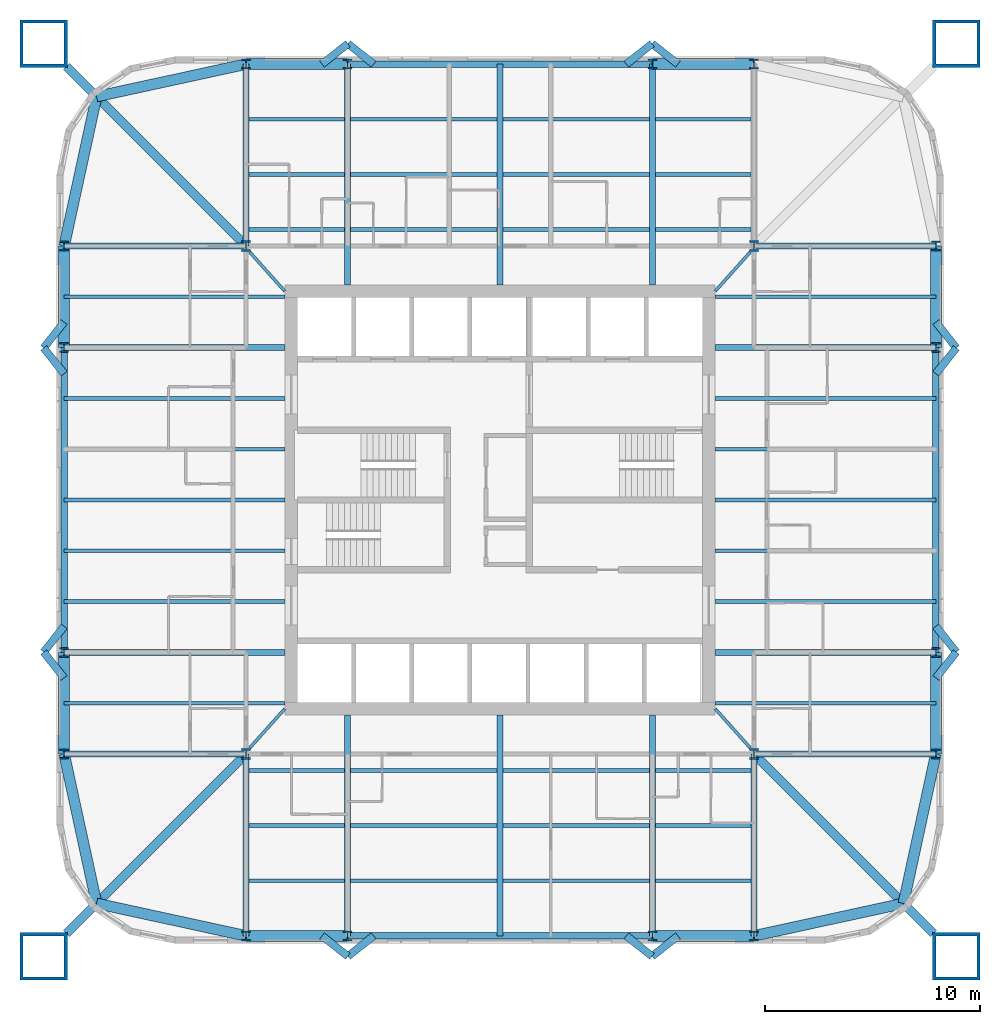
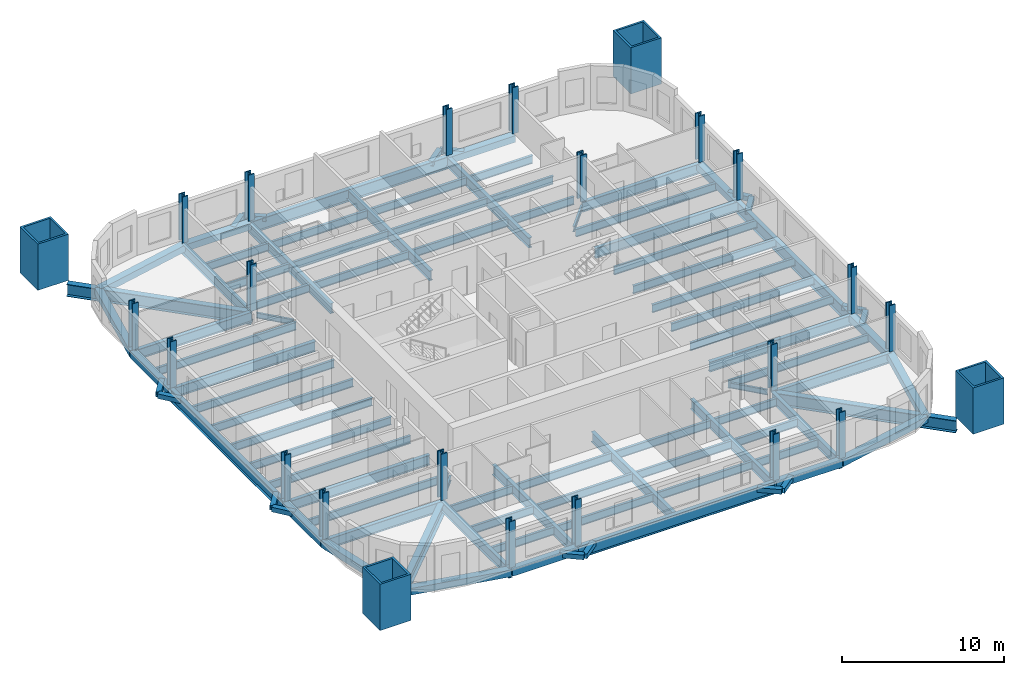
# One storey, part 1 of 9: 96 beams, 24 columns.
"""IFC4 building model written with IfcOpenShell, lengths in metres."""

from ifc_helpers import new_model, si_unit, direction, frame, origin, origin_2d, place, context, subcontext, project, spatial, hollow_rectangle, i_section, extrude, material, material_profile, profile_set, type_object, element, save


model = new_model("IFC4")

# Units and contexts
model_context = context("Model", 3, precision=1e-05, world=origin(), true_north=direction((0.0, 1.0)))
body_context = subcontext(model_context, "Body", "Model", "MODEL_VIEW")
ifc_project = project(units=[si_unit("LENGTHUNIT", "METRE"), si_unit("AREAUNIT", "SQUARE_METRE"), si_unit("VOLUMEUNIT", "CUBIC_METRE"), si_unit("PLANEANGLEUNIT", "RADIAN"), si_unit("MASSUNIT", "GRAM", prefix="KILO")], contexts=[model_context])

# Site, building, storey
site_placement = place(None, origin())
site = spatial("IfcSite", under=ifc_project, at=site_placement, CompositionType="ELEMENT")
building_placement = place(site_placement, origin())
building = spatial("IfcBuilding", under=site, at=building_placement, Name="Turquesa Mirador Hotel Tower", CompositionType="ELEMENT")
storey_placement = place(building_placement, frame((0.0, 0.0, 114.39990234375)))
storey = spatial("IfcBuildingStorey", under=building, at=storey_placement, Name="L30", CompositionType="ELEMENT", Elevation=114.39990234375)

# Columns
ifc_material_1 = material(Name="Steel ASTM A992 Grade 50", Category="steel")
ifc_material_profile_1 = material_profile(ifc_material_1, i_section(OverallWidth=0.421630859375, OverallDepth=0.46484375, WebThickness=0.044921875, FlangeThickness=0.072509765625, at=origin_2d()), Name="W14X398")
ifc_profile_set_1 = profile_set([ifc_material_profile_1], Name="Steel ASTM A992 Grade 50")
column_type_1 = type_object("IfcColumnType", Name="COLUMN W14X398", PredefinedType="COLUMN", material=ifc_profile_set_1)
for number, where, z_axis, x_axis, name in (
    (1, (34.75, 33.199951171875, 0.0), (0.0, 0.0, 1.0), (1.0, 0.0, 0.0), "COL-L30-P--20.25--11.80"),
    (2, (34.75, 37.919921875, 0.0), (0.0, 0.0, 1.0), (1.0, 0.0, 0.0), "COL-L30-P--20.25--7.08"),
    (3, (34.75, 52.080078125, 0.0), (0.0, 0.0, 1.0), (1.0, 0.0, 0.0), "COL-L30-P--20.25-+7.08"),
    (4, (34.75, 56.800048828125, 0.0), (0.0, 0.0, 1.0), (1.0, 0.0, 0.0), "COL-L30-P--20.25-+11.80"),
    (5, (43.199951171875, 24.75, 0.0), (0.0, 0.0, 1.0), (1.0, 0.0, 0.0), "COL-L30-P--11.80--20.25"),
    (6, (43.199951171875, 65.25, 0.0), (0.0, 0.0, 1.0), (1.0, 0.0, 0.0), "COL-L30-P--11.80-+20.25"),
    (7, (47.919921875, 24.75, 0.0), (0.0, 0.0, 1.0), (1.0, 0.0, 0.0), "COL-L30-P--7.08--20.25"),
    (8, (47.919921875, 65.25, 0.0), (0.0, 0.0, 1.0), (1.0, 0.0, 0.0), "COL-L30-P--7.08-+20.25"),
    (9, (62.080078125, 24.75, 0.0), (0.0, 0.0, 1.0), (1.0, 0.0, 0.0), "COL-L30-P-+7.08--20.25"),
    (10, (62.080078125, 65.25, 0.0), (0.0, 0.0, 1.0), (1.0, 0.0, 0.0), "COL-L30-P-+7.08-+20.25"),
    (11, (66.800048828125, 24.75, 0.0), (0.0, 0.0, 1.0), (1.0, 0.0, 0.0), "COL-L30-P-+11.80--20.25"),
    (12, (66.800048828125, 65.25, 0.0), (0.0, 0.0, 1.0), (1.0, 0.0, 0.0), "COL-L30-P-+11.80-+20.25"),
    (13, (75.25, 33.199951171875, 0.0), (0.0, 0.0, 1.0), (1.0, 0.0, 0.0), "COL-L30-P-+20.25--11.80"),
    (14, (75.25, 37.919921875, 0.0), (0.0, 0.0, 1.0), (1.0, 0.0, 0.0), "COL-L30-P-+20.25--7.08"),
    (15, (75.25, 52.080078125, 0.0), (0.0, 0.0, 1.0), (1.0, 0.0, 0.0), "COL-L30-P-+20.25-+7.08"),
    (16, (75.25, 56.800048828125, 0.0), (0.0, 0.0, 1.0), (1.0, 0.0, 0.0), "COL-L30-P-+20.25-+11.80"),
):
    element("IfcColumn", number, at=place(storey_placement, frame(where, z_axis=z_axis, x_axis=x_axis)), inside=storey, type_object=column_type_1, Name=name, PredefinedType="COLUMN", context=body_context, shape_type="SweptSolid", body=[
        extrude(i_section(OverallWidth=0.421630859375, OverallDepth=0.46484375, WebThickness=0.044921875, FlangeThickness=0.072509765625, at=origin_2d()), origin(), (0.0, 0.0, 1.0), 3.5),
    ])
ifc_material_2 = material(Name="Steel ASTM A992 Grade 50", Category="steel")
ifc_material_profile_2 = material_profile(ifc_material_2, i_section(OverallWidth=0.431884765625, OverallDepth=0.497802734375, WebThickness=0.0556640625, FlangeThickness=0.0888671875, at=origin_2d()), Name="W14X500")
ifc_profile_set_2 = profile_set([ifc_material_profile_2], Name="Steel ASTM A992 Grade 50")
column_type_2 = type_object("IfcColumnType", Name="COLUMN W14X500", PredefinedType="COLUMN", material=ifc_profile_set_2)
for number, where, z_axis, x_axis, name in (
    (17, (43.199951171875, 33.199951171875, 0.0), (0.0, 0.0, 1.0), (1.0, 0.0, 0.0), "COL-L30-K--11.80--11.80"),
    (18, (43.199951171875, 56.800048828125, 0.0), (0.0, 0.0, 1.0), (1.0, 0.0, 0.0), "COL-L30-K--11.80-+11.80"),
    (19, (66.800048828125, 33.199951171875, 0.0), (0.0, 0.0, 1.0), (1.0, 0.0, 0.0), "COL-L30-K-+11.80--11.80"),
    (20, (66.800048828125, 56.800048828125, 0.0), (0.0, 0.0, 1.0), (1.0, 0.0, 0.0), "COL-L30-K-+11.80-+11.80"),
):
    element("IfcColumn", number, at=place(storey_placement, frame(where, z_axis=z_axis, x_axis=x_axis)), inside=storey, type_object=column_type_2, Name=name, PredefinedType="COLUMN", context=body_context, shape_type="SweptSolid", body=[
        extrude(i_section(OverallWidth=0.431884765625, OverallDepth=0.497802734375, WebThickness=0.0556640625, FlangeThickness=0.0888671875, at=origin_2d()), origin(), (0.0, 0.0, 1.0), 3.5),
    ])
ifc_material_3 = material(Name="Steel ASTM A514 Grade Q", Category="steel")
ifc_material_profile_3 = material_profile(ifc_material_3, hollow_rectangle(XDim=2.199951171875, YDim=2.199951171875, WallThickness=0.14990234375, at=origin_2d()), Name="BOX2200X2200X150")
ifc_profile_set_3 = profile_set([ifc_material_profile_3], Name="Steel ASTM A514 Grade Q")
column_type_3 = type_object("IfcColumnType", Name="MEGA COLUMN BOX2200X2200X150", PredefinedType="COLUMN", material=ifc_profile_set_3)
for number, where, z_axis, x_axis, name in (
    (21, (76.199951171875, 66.199951171875, 0.0), (0.0, 0.0, 1.0), (1.0, 0.0, 0.0), "Mega column M1"),
    (22, (33.800048828125, 66.199951171875, 0.0), (0.0, 0.0, 1.0), (1.0, 0.0, 0.0), "Mega column M2"),
    (23, (33.800048828125, 23.800048828125, 0.0), (0.0, 0.0, 1.0), (1.0, 0.0, 0.0), "Mega column M3"),
    (24, (76.199951171875, 23.800048828125, 0.0), (0.0, 0.0, 1.0), (1.0, 0.0, 0.0), "Mega column M4"),
):
    element("IfcColumn", number, at=place(storey_placement, frame(where, z_axis=z_axis, x_axis=x_axis)), inside=storey, type_object=column_type_3, Name=name, PredefinedType="COLUMN", context=body_context, shape_type="SweptSolid", body=[
        extrude(hollow_rectangle(XDim=2.199951171875, YDim=2.199951171875, WallThickness=0.14990234375, at=origin_2d()), origin(), (0.0, 0.0, 1.0), 3.5),
    ])

# Beams
ifc_material_4 = material(Name="Steel ASTM A572 Grade 50", Category="steel")
ifc_material_profile_4 = material_profile(ifc_material_4, hollow_rectangle(XDim=0.5, YDim=0.5, WallThickness=0.01611328125, at=origin_2d()), Name="BOX500X500X16")
ifc_profile_set_4 = profile_set([ifc_material_profile_4], Name="Steel ASTM A572 Grade 50")
beam_type_1 = type_object("IfcBeamType", Name="BEAM BOX500X500X16", PredefinedType="BEAM", material=ifc_profile_set_4)
for number, where, z_axis, x_axis, name in (
    (25, (43.199951171875, 65.25, -0.419921875), (1.0, 0.0, 0.0), (0.0, 1.0, 0.0), "EB-L30-N-L"),
    (26, (62.080078125, 65.25, -0.419921875), (1.0, 0.0, 0.0), (0.0, 1.0, 0.0), "EB-L30-N-R"),
    (27, (43.199951171875, 24.75, -0.419921875), (1.0, 0.0, 0.0), (0.0, 1.0, 0.0), "EB-L30-S-L"),
    (28, (62.080078125, 24.75, -0.419921875), (1.0, 0.0, 0.0), (0.0, 1.0, 0.0), "EB-L30-S-R"),
    (29, (75.25, 33.199951171875, -0.419921875), (0.0, 1.0, 0.0), (-1.0, 0.0, 0.0), "EB-L30-E-L"),
    (30, (75.25, 52.080078125, -0.419921875), (0.0, 1.0, 0.0), (-1.0, 0.0, 0.0), "EB-L30-E-R"),
    (31, (34.75, 33.199951171875, -0.419921875), (0.0, 1.0, 0.0), (-1.0, 0.0, 0.0), "EB-L30-W-L"),
    (32, (34.75, 52.080078125, -0.419921875), (0.0, 1.0, 0.0), (-1.0, 0.0, 0.0), "EB-L30-W-R"),
):
    element("IfcBeam", number, at=place(storey_placement, frame(where, z_axis=z_axis, x_axis=x_axis)), inside=storey, type_object=beam_type_1, Name=name, PredefinedType="BEAM", context=body_context, shape_type="SweptSolid", body=[
        extrude(hollow_rectangle(XDim=0.5, YDim=0.5, WallThickness=0.01611328125, at=origin_2d()), origin(), (0.0, 0.0, 1.0), 4.719970703125),
    ])
for number, where, z_axis, x_axis, name in (
    (33, (34.75, 56.800048828125, -0.419921875), (0.212328336885, 0.977198381781, 0.0), (-0.977198381781, 0.212328336885, 0.0), "KE-L30-2-0"),
    (34, (36.25830078125, 63.74169921875, -0.419921875), (0.977198381781, 0.212328336885, 0.0), (-0.212328336885, 0.977198381781, 0.0), "KE-L30-2-1"),
    (35, (34.75, 33.199951171875, -0.419921875), (0.212328336885, -0.977198381781, 0.0), (0.977198381781, 0.212328336885, 0.0), "KE-L30-3-0"),
    (36, (36.25830078125, 26.25830078125, -0.419921875), (0.977198381781, -0.212328336885, 0.0), (0.212328336885, 0.977198381781, 0.0), "KE-L30-3-1"),
    (37, (75.25, 33.199951171875, -0.419921875), (-0.212328336885, -0.977198381781, 0.0), (0.977198381781, -0.212328336885, 0.0), "KE-L30-4-0"),
    (38, (73.74169921875, 26.25830078125, -0.419921875), (-0.977198381781, -0.212328336885, 0.0), (0.212328336885, -0.977198381781, 0.0), "KE-L30-4-1"),
):
    element("IfcBeam", number, at=place(storey_placement, frame(where, z_axis=z_axis, x_axis=x_axis)), inside=storey, type_object=beam_type_1, Name=name, PredefinedType="BEAM", context=body_context, shape_type="SweptSolid", body=[
        extrude(hollow_rectangle(XDim=0.5, YDim=0.5, WallThickness=0.01611328125, at=origin_2d()), origin(), (0.0, 0.0, 1.0), 7.103515625),
    ])
ifc_material_5 = material(Name="Steel ASTM A992 Grade 50", Category="steel")
ifc_material_profile_5 = material_profile(ifc_material_5, i_section(OverallWidth=0.140380859375, OverallDepth=0.40380859375, WebThickness=0.007080078125, FlangeThickness=0.01123046875, at=origin_2d()), Name="W16X31")
ifc_profile_set_5 = profile_set([ifc_material_profile_5], Name="Steel ASTM A992 Grade 50")
beam_type_2 = type_object("IfcBeamType", Name="BEAM W16X31", PredefinedType="BEAM", material=ifc_profile_set_5)
for number, where, z_axis, x_axis, name in (
    (39, (66.626953125, 56.518310546875, -0.371826171875), (-0.66679485947, -0.745241313525, 0.0), (0.745241313525, -0.66679485947, 0.0), "KT-L30-1"),
    (40, (43.373046875, 56.518310546875, -0.371826171875), (0.66679485947, -0.745241313525, 0.0), (0.745241313525, 0.66679485947, 0.0), "KT-L30-2"),
    (41, (43.373046875, 33.481689453125, -0.371826171875), (0.66679485947, 0.745241313525, 0.0), (-0.745241313525, 0.66679485947, 0.0), "KT-L30-3"),
    (42, (66.626953125, 33.481689453125, -0.371826171875), (-0.66679485947, 0.745241313525, 0.0), (-0.745241313525, -0.66679485947, 0.0), "KT-L30-4"),
):
    element("IfcBeam", number, at=place(storey_placement, frame(where, z_axis=z_axis, x_axis=x_axis)), inside=storey, type_object=beam_type_2, Name=name, PredefinedType="BEAM", context=body_context, shape_type="SweptSolid", body=[
        extrude(i_section(OverallWidth=0.140380859375, OverallDepth=0.40380859375, WebThickness=0.007080078125, FlangeThickness=0.01123046875, at=origin_2d()), origin(), (0.0, 0.0, 1.0), 2.43994140625),
    ])
ifc_material_6 = material(Name="Steel ASTM A992 Grade 50", Category="steel")
ifc_material_profile_6 = material_profile(ifc_material_6, i_section(OverallWidth=0.177978515625, OverallDepth=0.599365234375, WebThickness=0.010009765625, FlangeThickness=0.012939453125, at=origin_2d()), Name="W24X55")
ifc_profile_set_6 = profile_set([ifc_material_profile_6], Name="Steel ASTM A992 Grade 50")
beam_type_3 = type_object("IfcBeamType", Name="BEAM W24X55", PredefinedType="BEAM", material=ifc_profile_set_6)
beam_1_placement = place(storey_placement, frame((43.333251953125, 57.56201171875, -0.4697265625), z_axis=(1.0, 0.0, 0.0), x_axis=(0.0, 1.0, 0.0)))
element("IfcBeam", 43, at=beam_1_placement, inside=storey, type_object=beam_type_3, Name="IB-L30-N-1-0", PredefinedType="BEAM", context=body_context, shape_type="SweptSolid", body=[
    extrude(i_section(OverallWidth=0.177978515625, OverallDepth=0.599365234375, WebThickness=0.010009765625, FlangeThickness=0.012939453125, at=origin_2d()), origin(), (0.0, 0.0, 1.0), 4.453369140625),
])
for number, where, z_axis, x_axis, name in (
    (44, (48.053466796875, 57.56201171875, -0.4697265625), (1.0, 0.0, 0.0), (0.0, 1.0, 0.0), "IB-L30-N-1-1"),
    (45, (55.13330078125, 57.56201171875, -0.4697265625), (1.0, 0.0, 0.0), (0.0, 1.0, 0.0), "IB-L30-N-1-2"),
):
    element("IfcBeam", number, at=place(storey_placement, frame(where, z_axis=z_axis, x_axis=x_axis)), inside=storey, type_object=beam_type_3, Name=name, PredefinedType="BEAM", context=body_context, shape_type="SweptSolid", body=[
        extrude(i_section(OverallWidth=0.177978515625, OverallDepth=0.599365234375, WebThickness=0.010009765625, FlangeThickness=0.012939453125, at=origin_2d()), origin(), (0.0, 0.0, 1.0), 6.813232421875),
    ])
for number, where, z_axis, x_axis, name in (
    (46, (62.21337890625, 57.56201171875, -0.4697265625), (1.0, 0.0, 0.0), (0.0, 1.0, 0.0), "IB-L30-N-1-3"),
    (47, (43.333251953125, 60.125, -0.4697265625), (1.0, 0.0, 0.0), (0.0, 1.0, 0.0), "IB-L30-N-2-0"),
):
    element("IfcBeam", number, at=place(storey_placement, frame(where, z_axis=z_axis, x_axis=x_axis)), inside=storey, type_object=beam_type_3, Name=name, PredefinedType="BEAM", context=body_context, shape_type="SweptSolid", body=[
        extrude(i_section(OverallWidth=0.177978515625, OverallDepth=0.599365234375, WebThickness=0.010009765625, FlangeThickness=0.012939453125, at=origin_2d()), origin(), (0.0, 0.0, 1.0), 4.453369140625),
    ])
for number, where, z_axis, x_axis, name in (
    (48, (48.053466796875, 60.125, -0.4697265625), (1.0, 0.0, 0.0), (0.0, 1.0, 0.0), "IB-L30-N-2-1"),
    (49, (55.13330078125, 60.125, -0.4697265625), (1.0, 0.0, 0.0), (0.0, 1.0, 0.0), "IB-L30-N-2-2"),
):
    element("IfcBeam", number, at=place(storey_placement, frame(where, z_axis=z_axis, x_axis=x_axis)), inside=storey, type_object=beam_type_3, Name=name, PredefinedType="BEAM", context=body_context, shape_type="SweptSolid", body=[
        extrude(i_section(OverallWidth=0.177978515625, OverallDepth=0.599365234375, WebThickness=0.010009765625, FlangeThickness=0.012939453125, at=origin_2d()), origin(), (0.0, 0.0, 1.0), 6.813232421875),
    ])
for number, where, z_axis, x_axis, name in (
    (50, (62.21337890625, 60.125, -0.4697265625), (1.0, 0.0, 0.0), (0.0, 1.0, 0.0), "IB-L30-N-2-3"),
    (51, (43.333251953125, 62.68798828125, -0.4697265625), (1.0, 0.0, 0.0), (0.0, 1.0, 0.0), "IB-L30-N-3-0"),
):
    element("IfcBeam", number, at=place(storey_placement, frame(where, z_axis=z_axis, x_axis=x_axis)), inside=storey, type_object=beam_type_3, Name=name, PredefinedType="BEAM", context=body_context, shape_type="SweptSolid", body=[
        extrude(i_section(OverallWidth=0.177978515625, OverallDepth=0.599365234375, WebThickness=0.010009765625, FlangeThickness=0.012939453125, at=origin_2d()), origin(), (0.0, 0.0, 1.0), 4.453369140625),
    ])
for number, where, z_axis, x_axis, name in (
    (52, (48.053466796875, 62.68798828125, -0.4697265625), (1.0, 0.0, 0.0), (0.0, 1.0, 0.0), "IB-L30-N-3-1"),
    (53, (55.13330078125, 62.68798828125, -0.4697265625), (1.0, 0.0, 0.0), (0.0, 1.0, 0.0), "IB-L30-N-3-2"),
):
    element("IfcBeam", number, at=place(storey_placement, frame(where, z_axis=z_axis, x_axis=x_axis)), inside=storey, type_object=beam_type_3, Name=name, PredefinedType="BEAM", context=body_context, shape_type="SweptSolid", body=[
        extrude(i_section(OverallWidth=0.177978515625, OverallDepth=0.599365234375, WebThickness=0.010009765625, FlangeThickness=0.012939453125, at=origin_2d()), origin(), (0.0, 0.0, 1.0), 6.813232421875),
    ])
for number, where, z_axis, x_axis, name in (
    (54, (62.21337890625, 62.68798828125, -0.4697265625), (1.0, 0.0, 0.0), (0.0, 1.0, 0.0), "IB-L30-N-3-3"),
    (55, (43.333251953125, 32.43798828125, -0.4697265625), (1.0, 0.0, 0.0), (0.0, 1.0, 0.0), "IB-L30-S-1-0"),
):
    element("IfcBeam", number, at=place(storey_placement, frame(where, z_axis=z_axis, x_axis=x_axis)), inside=storey, type_object=beam_type_3, Name=name, PredefinedType="BEAM", context=body_context, shape_type="SweptSolid", body=[
        extrude(i_section(OverallWidth=0.177978515625, OverallDepth=0.599365234375, WebThickness=0.010009765625, FlangeThickness=0.012939453125, at=origin_2d()), origin(), (0.0, 0.0, 1.0), 4.453369140625),
    ])
for number, where, z_axis, x_axis, name in (
    (56, (48.053466796875, 32.43798828125, -0.4697265625), (1.0, 0.0, 0.0), (0.0, 1.0, 0.0), "IB-L30-S-1-1"),
    (57, (55.13330078125, 32.43798828125, -0.4697265625), (1.0, 0.0, 0.0), (0.0, 1.0, 0.0), "IB-L30-S-1-2"),
):
    element("IfcBeam", number, at=place(storey_placement, frame(where, z_axis=z_axis, x_axis=x_axis)), inside=storey, type_object=beam_type_3, Name=name, PredefinedType="BEAM", context=body_context, shape_type="SweptSolid", body=[
        extrude(i_section(OverallWidth=0.177978515625, OverallDepth=0.599365234375, WebThickness=0.010009765625, FlangeThickness=0.012939453125, at=origin_2d()), origin(), (0.0, 0.0, 1.0), 6.813232421875),
    ])
for number, where, z_axis, x_axis, name in (
    (58, (62.21337890625, 32.43798828125, -0.4697265625), (1.0, 0.0, 0.0), (0.0, 1.0, 0.0), "IB-L30-S-1-3"),
    (59, (43.333251953125, 29.875, -0.4697265625), (1.0, 0.0, 0.0), (0.0, 1.0, 0.0), "IB-L30-S-2-0"),
):
    element("IfcBeam", number, at=place(storey_placement, frame(where, z_axis=z_axis, x_axis=x_axis)), inside=storey, type_object=beam_type_3, Name=name, PredefinedType="BEAM", context=body_context, shape_type="SweptSolid", body=[
        extrude(i_section(OverallWidth=0.177978515625, OverallDepth=0.599365234375, WebThickness=0.010009765625, FlangeThickness=0.012939453125, at=origin_2d()), origin(), (0.0, 0.0, 1.0), 4.453369140625),
    ])
for number, where, z_axis, x_axis, name in (
    (60, (48.053466796875, 29.875, -0.4697265625), (1.0, 0.0, 0.0), (0.0, 1.0, 0.0), "IB-L30-S-2-1"),
    (61, (55.13330078125, 29.875, -0.4697265625), (1.0, 0.0, 0.0), (0.0, 1.0, 0.0), "IB-L30-S-2-2"),
):
    element("IfcBeam", number, at=place(storey_placement, frame(where, z_axis=z_axis, x_axis=x_axis)), inside=storey, type_object=beam_type_3, Name=name, PredefinedType="BEAM", context=body_context, shape_type="SweptSolid", body=[
        extrude(i_section(OverallWidth=0.177978515625, OverallDepth=0.599365234375, WebThickness=0.010009765625, FlangeThickness=0.012939453125, at=origin_2d()), origin(), (0.0, 0.0, 1.0), 6.813232421875),
    ])
for number, where, z_axis, x_axis, name in (
    (62, (62.21337890625, 29.875, -0.4697265625), (1.0, 0.0, 0.0), (0.0, 1.0, 0.0), "IB-L30-S-2-3"),
    (63, (43.333251953125, 27.31201171875, -0.4697265625), (1.0, 0.0, 0.0), (0.0, 1.0, 0.0), "IB-L30-S-3-0"),
):
    element("IfcBeam", number, at=place(storey_placement, frame(where, z_axis=z_axis, x_axis=x_axis)), inside=storey, type_object=beam_type_3, Name=name, PredefinedType="BEAM", context=body_context, shape_type="SweptSolid", body=[
        extrude(i_section(OverallWidth=0.177978515625, OverallDepth=0.599365234375, WebThickness=0.010009765625, FlangeThickness=0.012939453125, at=origin_2d()), origin(), (0.0, 0.0, 1.0), 4.453369140625),
    ])
for number, where, z_axis, x_axis, name in (
    (64, (48.053466796875, 27.31201171875, -0.4697265625), (1.0, 0.0, 0.0), (0.0, 1.0, 0.0), "IB-L30-S-3-1"),
    (65, (55.13330078125, 27.31201171875, -0.4697265625), (1.0, 0.0, 0.0), (0.0, 1.0, 0.0), "IB-L30-S-3-2"),
):
    element("IfcBeam", number, at=place(storey_placement, frame(where, z_axis=z_axis, x_axis=x_axis)), inside=storey, type_object=beam_type_3, Name=name, PredefinedType="BEAM", context=body_context, shape_type="SweptSolid", body=[
        extrude(i_section(OverallWidth=0.177978515625, OverallDepth=0.599365234375, WebThickness=0.010009765625, FlangeThickness=0.012939453125, at=origin_2d()), origin(), (0.0, 0.0, 1.0), 6.813232421875),
    ])
beam_2_placement = place(storey_placement, frame((62.21337890625, 27.31201171875, -0.4697265625), z_axis=(1.0, 0.0, 0.0), x_axis=(0.0, 1.0, 0.0)))
element("IfcBeam", 66, at=beam_2_placement, inside=storey, type_object=beam_type_3, Name="IB-L30-S-3-3", PredefinedType="BEAM", context=body_context, shape_type="SweptSolid", body=[
    extrude(i_section(OverallWidth=0.177978515625, OverallDepth=0.599365234375, WebThickness=0.010009765625, FlangeThickness=0.012939453125, at=origin_2d()), origin(), (0.0, 0.0, 1.0), 4.453369140625),
])
for number, where, z_axis, x_axis, name in (
    (67, (75.25, 35.56005859375, -0.4697265625), (-1.0, 0.0, 0.0), (0.0, -1.0, 0.0), "BM-L30-E--9.44"),
    (68, (75.25, 40.280029296875, -0.4697265625), (-1.0, 0.0, 0.0), (0.0, -1.0, 0.0), "BM-L30-E--4.72"),
    (69, (75.25, 42.639892578125, -0.4697265625), (-1.0, 0.0, 0.0), (0.0, -1.0, 0.0), "BM-L30-E--2.36"),
    (70, (75.25, 45.0, -0.4697265625), (-1.0, 0.0, 0.0), (0.0, -1.0, 0.0), "BM-L30-E-+0.00"),
    (71, (75.25, 47.360107421875, -0.4697265625), (-1.0, 0.0, 0.0), (0.0, -1.0, 0.0), "BM-L30-E-+2.36"),
    (72, (75.25, 49.719970703125, -0.4697265625), (-1.0, 0.0, 0.0), (0.0, -1.0, 0.0), "BM-L30-E-+4.72"),
    (73, (75.25, 54.43994140625, -0.4697265625), (-1.0, 0.0, 0.0), (0.0, -1.0, 0.0), "BM-L30-E-+9.44"),
    (74, (34.75, 35.56005859375, -0.4697265625), (1.0, 0.0, 0.0), (0.0, 1.0, 0.0), "BM-L30-W--9.44"),
    (75, (34.75, 40.280029296875, -0.4697265625), (1.0, 0.0, 0.0), (0.0, 1.0, 0.0), "BM-L30-W--4.72"),
    (76, (34.75, 42.639892578125, -0.4697265625), (1.0, 0.0, 0.0), (0.0, 1.0, 0.0), "BM-L30-W--2.36"),
    (77, (34.75, 45.0, -0.4697265625), (1.0, 0.0, 0.0), (0.0, 1.0, 0.0), "BM-L30-W-+0.00"),
    (78, (34.75, 47.360107421875, -0.4697265625), (1.0, 0.0, 0.0), (0.0, 1.0, 0.0), "BM-L30-W-+2.36"),
    (79, (34.75, 49.719970703125, -0.4697265625), (1.0, 0.0, 0.0), (0.0, 1.0, 0.0), "BM-L30-W-+4.72"),
    (80, (34.75, 54.43994140625, -0.4697265625), (1.0, 0.0, 0.0), (0.0, 1.0, 0.0), "BM-L30-W-+9.44"),
):
    element("IfcBeam", number, at=place(storey_placement, frame(where, z_axis=z_axis, x_axis=x_axis)), inside=storey, type_object=beam_type_3, Name=name, PredefinedType="BEAM", context=body_context, shape_type="SweptSolid", body=[
        extrude(i_section(OverallWidth=0.177978515625, OverallDepth=0.599365234375, WebThickness=0.010009765625, FlangeThickness=0.012939453125, at=origin_2d()), origin(), (0.0, 0.0, 1.0), 10.25),
    ])
ifc_material_7 = material(Name="Steel ASTM A992 Grade 50", Category="steel")
ifc_material_profile_7 = material_profile(ifc_material_7, i_section(OverallWidth=0.2666015625, OverallDepth=0.7568359375, WebThickness=0.013916015625, FlangeThickness=0.019287109375, at=origin_2d()), Name="W30X108")
ifc_profile_set_7 = profile_set([ifc_material_profile_7], Name="Steel ASTM A992 Grade 50")
beam_type_4 = type_object("IfcBeamType", Name="BEAM W30X108", PredefinedType="BEAM", material=ifc_profile_set_7)
for number, where, z_axis, x_axis, name in (
    (81, (47.919921875, 65.25, -0.54833984375), (0.0, -1.0, 0.0), (1.0, 0.0, 0.0), "GD-L30-N--7.08"),
    (82, (62.080078125, 65.25, -0.54833984375), (0.0, -1.0, 0.0), (1.0, 0.0, 0.0), "GD-L30-N-+7.08"),
    (83, (55.0, 65.25, -0.54833984375), (0.0, -1.0, 0.0), (1.0, 0.0, 0.0), "GD-L30-N-+0.00"),
):
    element("IfcBeam", number, at=place(storey_placement, frame(where, z_axis=z_axis, x_axis=x_axis)), inside=storey, type_object=beam_type_4, Name=name, PredefinedType="BEAM", context=body_context, shape_type="SweptSolid", body=[
        extrude(i_section(OverallWidth=0.2666015625, OverallDepth=0.7568359375, WebThickness=0.013916015625, FlangeThickness=0.019287109375, at=origin_2d()), origin(), (0.0, 0.0, 1.0), 10.25),
    ])
beam_3_placement = place(storey_placement, frame((43.199951171875, 65.25, -0.54833984375), z_axis=(0.0, -1.0, 0.0), x_axis=(1.0, 0.0, 0.0)))
element("IfcBeam", 84, at=beam_3_placement, inside=storey, type_object=beam_type_4, Name="GK-L30-N--11.80", PredefinedType="BEAM", context=body_context, shape_type="SweptSolid", body=[
    extrude(i_section(OverallWidth=0.2666015625, OverallDepth=0.7568359375, WebThickness=0.013916015625, FlangeThickness=0.019287109375, at=origin_2d()), origin(), (0.0, 0.0, 1.0), 8.449951171875),
])
for number, where, z_axis, x_axis, name in (
    (85, (47.919921875, 24.75, -0.54833984375), (0.0, 1.0, 0.0), (-1.0, 0.0, 0.0), "GD-L30-S--7.08"),
    (86, (62.080078125, 24.75, -0.54833984375), (0.0, 1.0, 0.0), (-1.0, 0.0, 0.0), "GD-L30-S-+7.08"),
    (87, (55.0, 24.75, -0.54833984375), (0.0, 1.0, 0.0), (-1.0, 0.0, 0.0), "GD-L30-S-+0.00"),
):
    element("IfcBeam", number, at=place(storey_placement, frame(where, z_axis=z_axis, x_axis=x_axis)), inside=storey, type_object=beam_type_4, Name=name, PredefinedType="BEAM", context=body_context, shape_type="SweptSolid", body=[
        extrude(i_section(OverallWidth=0.2666015625, OverallDepth=0.7568359375, WebThickness=0.013916015625, FlangeThickness=0.019287109375, at=origin_2d()), origin(), (0.0, 0.0, 1.0), 10.25),
    ])
for number, where, z_axis, x_axis, name in (
    (88, (43.199951171875, 24.75, -0.54833984375), (0.0, 1.0, 0.0), (-1.0, 0.0, 0.0), "GK-L30-S--11.80"),
    (89, (66.800048828125, 24.75, -0.54833984375), (0.0, 1.0, 0.0), (-1.0, 0.0, 0.0), "GK-L30-S-+11.80"),
):
    element("IfcBeam", number, at=place(storey_placement, frame(where, z_axis=z_axis, x_axis=x_axis)), inside=storey, type_object=beam_type_4, Name=name, PredefinedType="BEAM", context=body_context, shape_type="SweptSolid", body=[
        extrude(i_section(OverallWidth=0.2666015625, OverallDepth=0.7568359375, WebThickness=0.013916015625, FlangeThickness=0.019287109375, at=origin_2d()), origin(), (0.0, 0.0, 1.0), 8.449951171875),
    ])
for number, where, z_axis, x_axis, name in (
    (90, (75.25, 37.919921875, -0.54833984375), (-1.0, 0.0, 0.0), (0.0, -1.0, 0.0), "GD-L30-E--7.08"),
    (91, (75.25, 52.080078125, -0.54833984375), (-1.0, 0.0, 0.0), (0.0, -1.0, 0.0), "GD-L30-E-+7.08"),
):
    element("IfcBeam", number, at=place(storey_placement, frame(where, z_axis=z_axis, x_axis=x_axis)), inside=storey, type_object=beam_type_4, Name=name, PredefinedType="BEAM", context=body_context, shape_type="SweptSolid", body=[
        extrude(i_section(OverallWidth=0.2666015625, OverallDepth=0.7568359375, WebThickness=0.013916015625, FlangeThickness=0.019287109375, at=origin_2d()), origin(), (0.0, 0.0, 1.0), 10.25),
    ])
for number, where, z_axis, x_axis, name in (
    (92, (75.25, 33.199951171875, -0.54833984375), (-1.0, 0.0, 0.0), (0.0, -1.0, 0.0), "GK-L30-E--11.80"),
    (93, (75.25, 56.800048828125, -0.54833984375), (-1.0, 0.0, 0.0), (0.0, -1.0, 0.0), "GK-L30-E-+11.80"),
):
    element("IfcBeam", number, at=place(storey_placement, frame(where, z_axis=z_axis, x_axis=x_axis)), inside=storey, type_object=beam_type_4, Name=name, PredefinedType="BEAM", context=body_context, shape_type="SweptSolid", body=[
        extrude(i_section(OverallWidth=0.2666015625, OverallDepth=0.7568359375, WebThickness=0.013916015625, FlangeThickness=0.019287109375, at=origin_2d()), origin(), (0.0, 0.0, 1.0), 8.449951171875),
    ])
for number, where, z_axis, x_axis, name in (
    (94, (34.75, 37.919921875, -0.54833984375), (1.0, 0.0, 0.0), (0.0, 1.0, 0.0), "GD-L30-W--7.08"),
    (95, (34.75, 52.080078125, -0.54833984375), (1.0, 0.0, 0.0), (0.0, 1.0, 0.0), "GD-L30-W-+7.08"),
):
    element("IfcBeam", number, at=place(storey_placement, frame(where, z_axis=z_axis, x_axis=x_axis)), inside=storey, type_object=beam_type_4, Name=name, PredefinedType="BEAM", context=body_context, shape_type="SweptSolid", body=[
        extrude(i_section(OverallWidth=0.2666015625, OverallDepth=0.7568359375, WebThickness=0.013916015625, FlangeThickness=0.019287109375, at=origin_2d()), origin(), (0.0, 0.0, 1.0), 10.25),
    ])
for number, where, z_axis, x_axis, name in (
    (96, (34.75, 33.199951171875, -0.54833984375), (1.0, 0.0, 0.0), (0.0, 1.0, 0.0), "GK-L30-W--11.80"),
    (97, (34.75, 56.800048828125, -0.54833984375), (1.0, 0.0, 0.0), (0.0, 1.0, 0.0), "GK-L30-W-+11.80"),
):
    element("IfcBeam", number, at=place(storey_placement, frame(where, z_axis=z_axis, x_axis=x_axis)), inside=storey, type_object=beam_type_4, Name=name, PredefinedType="BEAM", context=body_context, shape_type="SweptSolid", body=[
        extrude(i_section(OverallWidth=0.2666015625, OverallDepth=0.7568359375, WebThickness=0.013916015625, FlangeThickness=0.019287109375, at=origin_2d()), origin(), (0.0, 0.0, 1.0), 8.449951171875),
    ])
ifc_material_8 = material(Name="Steel ASTM A992 Grade 50", Category="steel")
ifc_material_profile_8 = material_profile(ifc_material_8, i_section(OverallWidth=0.3046875, OverallDepth=0.911865234375, WebThickness=0.015869140625, FlangeThickness=0.02392578125, at=origin_2d()), Name="W36X150")
ifc_profile_set_8 = profile_set([ifc_material_profile_8], Name="Steel ASTM A992 Grade 50")
beam_type_5 = type_object("IfcBeamType", Name="BEAM W36X150", PredefinedType="BEAM", material=ifc_profile_set_8)
for number, where, z_axis, x_axis, name in (
    (98, (47.919921875, 65.25, -0.625732421875), (1.0, 0.0, 0.0), (0.0, 1.0, 0.0), "EB-L30-N-C"),
    (99, (47.919921875, 24.75, -0.625732421875), (1.0, 0.0, 0.0), (0.0, 1.0, 0.0), "EB-L30-S-C"),
    (100, (75.25, 37.919921875, -0.625732421875), (0.0, 1.0, 0.0), (-1.0, 0.0, 0.0), "EB-L30-E-C"),
    (101, (34.75, 37.919921875, -0.625732421875), (0.0, 1.0, 0.0), (-1.0, 0.0, 0.0), "EB-L30-W-C"),
):
    element("IfcBeam", number, at=place(storey_placement, frame(where, z_axis=z_axis, x_axis=x_axis)), inside=storey, type_object=beam_type_5, Name=name, PredefinedType="BEAM", context=body_context, shape_type="SweptSolid", body=[
        extrude(i_section(OverallWidth=0.3046875, OverallDepth=0.911865234375, WebThickness=0.015869140625, FlangeThickness=0.02392578125, at=origin_2d()), origin(), (0.0, 0.0, 1.0), 14.16015625),
    ])
ifc_material_9 = material(Name="Steel ASTM A992 Grade 50", Category="steel")
ifc_material_profile_9 = material_profile(ifc_material_9, i_section(OverallWidth=0.419189453125, OverallDepth=0.927001953125, WebThickness=0.019287109375, FlangeThickness=0.031982421875, at=origin_2d()), Name="W36X231")
ifc_profile_set_9 = profile_set([ifc_material_profile_9], Name="Steel ASTM A992 Grade 50")
beam_type_6 = type_object("IfcBeamType", Name="BEAM W36X231", PredefinedType="BEAM", material=ifc_profile_set_9)
for number, where, z_axis, x_axis, name in (
    (102, (43.199951171875, 56.800048828125, -0.633544921875), (-0.707106781187, 0.707106781187, 0.0), (-0.707106781187, -0.707106781187, 0.0), "KD-L30-2"),
    (103, (43.199951171875, 33.199951171875, -0.633544921875), (-0.707106781187, -0.707106781187, 0.0), (0.707106781187, -0.707106781187, 0.0), "KD-L30-3"),
    (104, (66.800048828125, 33.199951171875, -0.633544921875), (0.707106781187, -0.707106781187, 0.0), (0.707106781187, 0.707106781187, 0.0), "KD-L30-4"),
):
    element("IfcBeam", number, at=place(storey_placement, frame(where, z_axis=z_axis, x_axis=x_axis)), inside=storey, type_object=beam_type_6, Name=name, PredefinedType="BEAM", context=body_context, shape_type="SweptSolid", body=[
        extrude(i_section(OverallWidth=0.419189453125, OverallDepth=0.927001953125, WebThickness=0.019287109375, FlangeThickness=0.031982421875, at=origin_2d()), origin(), (0.0, 0.0, 1.0), 11.80859375),
    ])
ifc_material_10 = material(Name="Steel ASTM A500 Grade C", Category="steel")
ifc_material_profile_10 = material_profile(ifc_material_10, hollow_rectangle(XDim=0.355712890625, YDim=0.355712890625, WallThickness=0.0146484375, at=origin_2d()), Name="HSS14X14X5/8")
ifc_profile_set_10 = profile_set([ifc_material_profile_10], Name="Steel ASTM A500 Grade C")
beam_type_7 = type_object("IfcBeamType", Name="BRACE STRUT HSS14X14X5/8", PredefinedType="BEAM", material=ifc_profile_set_10)
for number, where, z_axis, x_axis, name in (
    (105, (47.933349609375, 66.199951171875, -0.34765625), (-0.784049059149, -0.620698858423, 0.0), (0.620698858423, -0.784049059149, 0.0), "Brace strut"),
    (106, (47.933349609375, 66.199951171875, -0.34765625), (0.784049059149, -0.620698858423, 0.0), (0.620698858423, 0.784049059149, 0.0), "Brace strut"),
    (107, (62.066650390625, 66.199951171875, -0.34765625), (-0.784049059149, -0.620698858423, 0.0), (0.620698858423, -0.784049059149, 0.0), "Brace strut"),
    (108, (62.066650390625, 66.199951171875, -0.34765625), (0.784049059149, -0.620698858423, 0.0), (0.620698858423, 0.784049059149, 0.0), "Brace strut"),
    (109, (47.933349609375, 23.800048828125, -0.34765625), (-0.784049059149, 0.620698858423, 0.0), (-0.620698858423, -0.784049059149, 0.0), "Brace strut"),
    (110, (47.933349609375, 23.800048828125, -0.34765625), (0.784049059149, 0.620698858423, 0.0), (-0.620698858423, 0.784049059149, 0.0), "Brace strut"),
    (111, (62.066650390625, 23.800048828125, -0.34765625), (-0.784049059149, 0.620698858423, 0.0), (-0.620698858423, -0.784049059149, 0.0), "Brace strut"),
    (112, (62.066650390625, 23.800048828125, -0.34765625), (0.784049059149, 0.620698858423, 0.0), (-0.620698858423, 0.784049059149, 0.0), "Brace strut"),
    (113, (76.199951171875, 37.933349609375, -0.34765625), (-0.620698858423, -0.784049059149, 0.0), (0.784049059149, -0.620698858423, 0.0), "Brace strut"),
    (114, (76.199951171875, 37.933349609375, -0.34765625), (-0.620698858423, 0.784049059149, 0.0), (-0.784049059149, -0.620698858423, 0.0), "Brace strut"),
    (115, (76.199951171875, 52.066650390625, -0.34765625), (-0.620698858423, -0.784049059149, 0.0), (0.784049059149, -0.620698858423, 0.0), "Brace strut"),
    (116, (76.199951171875, 52.066650390625, -0.34765625), (-0.620698858423, 0.784049059149, 0.0), (-0.784049059149, -0.620698858423, 0.0), "Brace strut"),
    (117, (33.800048828125, 37.933349609375, -0.34765625), (0.620698858423, -0.784049059149, 0.0), (0.784049059149, 0.620698858423, 0.0), "Brace strut"),
    (118, (33.800048828125, 37.933349609375, -0.34765625), (0.620698858423, 0.784049059149, 0.0), (-0.784049059149, 0.620698858423, 0.0), "Brace strut"),
    (119, (33.800048828125, 52.066650390625, -0.34765625), (0.620698858423, -0.784049059149, 0.0), (0.784049059149, 0.620698858423, 0.0), "Brace strut"),
    (120, (33.800048828125, 52.066650390625, -0.34765625), (0.620698858423, 0.784049059149, 0.0), (-0.784049059149, 0.620698858423, 0.0), "Brace strut"),
):
    element("IfcBeam", number, at=place(storey_placement, frame(where, z_axis=z_axis, x_axis=x_axis)), inside=storey, type_object=beam_type_7, Name=name, PredefinedType="BEAM", context=body_context, shape_type="SweptSolid", body=[
        extrude(hollow_rectangle(XDim=0.355712890625, YDim=0.355712890625, WallThickness=0.0146484375, at=origin_2d()), origin(), (0.0, 0.0, 1.0), 1.530517578125),
    ])

save(model, "model.ifc")
